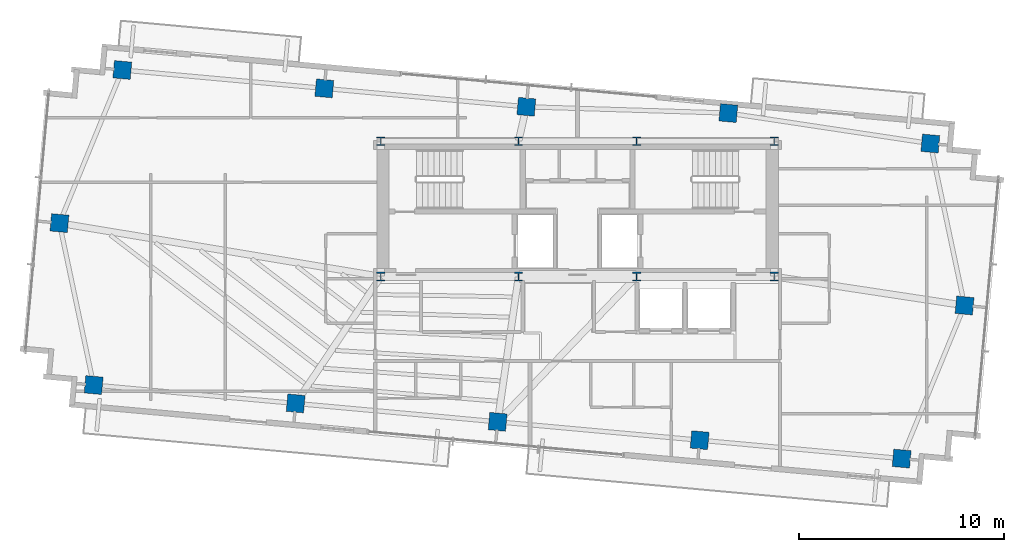
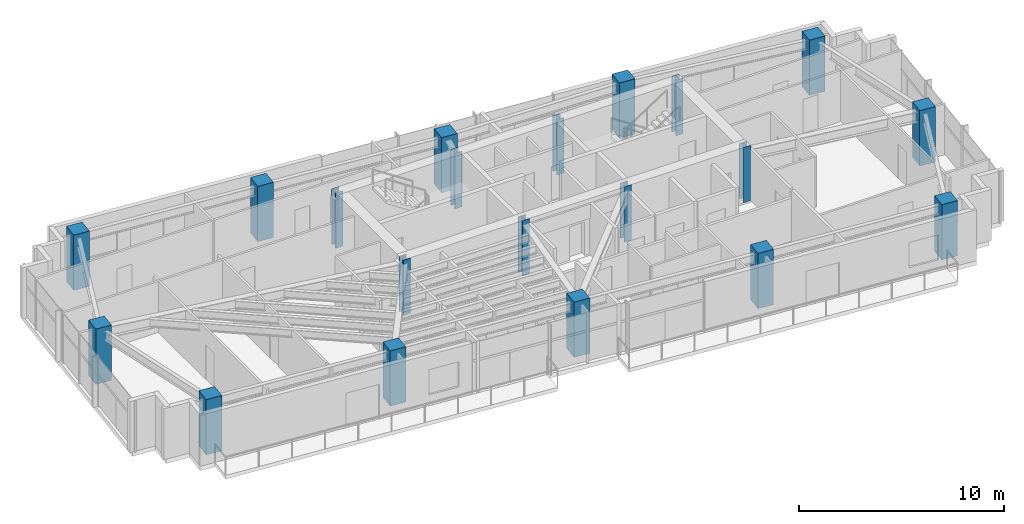
# One storey, part 1 of 22: 20 columns.
"""IFC4 building model written with IfcOpenShell, lengths in metres."""

import ifcopenshell
import ifcopenshell.guid

model = None  # the IFC model being written
_history = None  # IfcOwnerHistory: only IFC2X3 demands one
_inside = {}  # id of a spatial element -> (the spatial element, [elements in it])
_under = {}  # id of a project, library or spatial element -> (it, [spatial elements below it])
_declared = {}  # id of a project -> (the project, [libraries it declares])
_typed = {}  # id of a type object -> (the type object, [elements of that type])
_made_of = {}  # id of a material, layer set ... -> (it, [elements and type objects made of it])


def new_model(schema):
    """Start an empty IFC model of exactly this schema.

    Asked for "IFC4X3", IfcOpenShell would pick the latest addendum, in which some entities
    have other attributes; the version numbers below select the first issue.
    IFC2X3 requires an IfcOwnerHistory on every rooted entity: one is made here for all.
    """
    global model, _history
    if schema == "IFC4X3":
        model = ifcopenshell.file(schema_version=(4, 3, 0, 0))
    else:
        model = ifcopenshell.file(schema=schema)
    _inside.clear()
    _under.clear()
    _declared.clear()
    _typed.clear()
    _made_of.clear()
    _history = None
    if model.schema == "IFC2X3":
        org = make("IfcOrganization", Name="unknown")
        user = make(
            "IfcPersonAndOrganization",
            ThePerson=make("IfcPerson", FamilyName="unknown"),
            TheOrganization=org,
        )
        app = make(
            "IfcApplication",
            ApplicationDeveloper=org,
            Version="unknown",
            ApplicationFullName="unknown",
            ApplicationIdentifier="unknown",
        )
        _history = make(
            "IfcOwnerHistory",
            OwningUser=user,
            OwningApplication=app,
            ChangeAction="ADDED",
            CreationDate=0,
        )
    return model


def make(cls, **values):
    """One entity of the class cls with the attributes given. An attribute that is None is left unset."""
    return model.create_entity(
        cls, **{name: value for name, value in values.items() if value is not None}
    )


def rooted(cls, **values):
    """An entity with a GlobalId (a new one), such as an element, a storey or a relation."""
    return make(cls, GlobalId=ifcopenshell.guid.new(), OwnerHistory=_history, **values)


def si_unit(unit_type, name, prefix=None):
    """IfcSIUnit, for example si_unit("LENGTHUNIT", "METRE", prefix="MILLI")."""
    return make("IfcSIUnit", UnitType=unit_type, Prefix=prefix, Name=name)


def assignment(units):
    """IfcUnitAssignment: the units of a project."""
    return None if units is None else make("IfcUnitAssignment", Units=units)


def point(xyz):
    """IfcCartesianPoint."""
    return None if xyz is None else make("IfcCartesianPoint", Coordinates=xyz)


def direction(xyz):
    """IfcDirection."""
    return None if xyz is None else make("IfcDirection", DirectionRatios=xyz)


def frame(location, z_axis=None, x_axis=None):
    """IfcAxis2Placement3D, a coordinate frame: its origin and axes. An axis left out is left unset."""
    return make(
        "IfcAxis2Placement3D",
        Location=point(location),
        Axis=direction(z_axis),
        RefDirection=direction(x_axis),
    )


def frame_2d(location, x_axis=None):
    """IfcAxis2Placement2D, a coordinate frame in the plane: its origin and x axis."""
    return make(
        "IfcAxis2Placement2D", Location=point(location), RefDirection=direction(x_axis)
    )


def origin():
    """The frame at (0, 0, 0) with its axes left unset."""
    return frame((0.0, 0.0, 0.0))


def origin_2d():
    """The frame at (0, 0) in the plane with its x axis left unset."""
    return frame_2d((0.0, 0.0))


def place(relative_to, where):
    """IfcLocalPlacement: puts the frame where relative to a parent placement (None: the world)."""
    return make(
        "IfcLocalPlacement", PlacementRelTo=relative_to, RelativePlacement=where
    )


def context(
    kind, dimensions, precision=None, world=None, true_north=None, identifier=None
):
    """IfcGeometricRepresentationContext, for example the 3D "Model" context."""
    return make(
        "IfcGeometricRepresentationContext",
        ContextIdentifier=identifier,
        ContextType=kind,
        CoordinateSpaceDimension=dimensions,
        Precision=precision,
        WorldCoordinateSystem=world,
        TrueNorth=true_north,
    )


def subcontext(parent, identifier, kind, view, scale=None):
    """IfcGeometricRepresentationSubContext, for example "Body" below "Model"."""
    return make(
        "IfcGeometricRepresentationSubContext",
        ContextIdentifier=identifier,
        ContextType=kind,
        ParentContext=parent,
        TargetScale=scale,
        TargetView=view,
    )


def project(units=None, contexts=None):
    """IfcProject with its units and contexts."""
    return rooted(
        "IfcProject",
        Name="project",
        RepresentationContexts=contexts,
        UnitsInContext=assignment(units),
    )


def spatial(cls, under=None, at=None, **own):
    """A site, building, storey or space (cls), placed at a placement, below another one or the project."""
    s = rooted(cls, ObjectPlacement=at, **own)
    if under is not None:
        _under.setdefault(under.id(), (under, []))[1].append(s)
    return s


def profile(cls, at=None, kind="AREA", **sizes):
    """A parametric profile (cls). Its sizes go by their IFC names, for example OverallWidth=200.0."""
    return make(cls, ProfileType=kind, Position=at, **sizes)


def rectangle(**sizes):
    """IfcRectangleProfileDef."""
    return profile("IfcRectangleProfileDef", **sizes)


def i_section(**sizes):
    """IfcIShapeProfileDef."""
    return profile("IfcIShapeProfileDef", **sizes)


def extrude(swept, where, along, depth):
    """IfcExtrudedAreaSolid: the profile swept, set in the frame where, extruded along a direction by depth."""
    return make(
        "IfcExtrudedAreaSolid",
        SweptArea=swept,
        Position=where,
        ExtrudedDirection=direction(along),
        Depth=depth,
    )


def shape(context_of_items, identifier, shape_type, items):
    """IfcShapeRepresentation: the items that make up one representation, for example the "Body"."""
    return make(
        "IfcShapeRepresentation",
        ContextOfItems=context_of_items,
        RepresentationIdentifier=identifier,
        RepresentationType=shape_type,
        Items=items,
    )


def source(mapping_origin, context_of_items, identifier, shape_type, items):
    """IfcRepresentationMap: a shape defined once, which mapped items show again and again."""
    return make(
        "IfcRepresentationMap",
        MappingOrigin=mapping_origin,
        MappedRepresentation=shape(context_of_items, identifier, shape_type, items),
    )


def transform(
    local_origin,
    x_axis=None,
    y_axis=None,
    z_axis=None,
    scale=None,
    scale2=None,
    scale3=None,
    uniform=True,
):
    """IfcCartesianTransformationOperator3D, or its non-uniform kind. x_axis, y_axis, z_axis: its Axis1, 2, 3."""
    if uniform:
        return make(
            "IfcCartesianTransformationOperator3D",
            Axis1=direction(x_axis),
            Axis2=direction(y_axis),
            LocalOrigin=point(local_origin),
            Scale=scale,
            Axis3=direction(z_axis),
        )
    return make(
        "IfcCartesianTransformationOperator3DnonUniform",
        Axis1=direction(x_axis),
        Axis2=direction(y_axis),
        LocalOrigin=point(local_origin),
        Scale=scale,
        Axis3=direction(z_axis),
        Scale2=scale2,
        Scale3=scale3,
    )


def mapped(mapping_source, mapping_target):
    """IfcMappedItem: shows the shape of a source again, moved by a transform."""
    return make(
        "IfcMappedItem", MappingSource=mapping_source, MappingTarget=mapping_target
    )


def material(Name=None, Category=None):
    """IfcMaterial."""
    return make("IfcMaterial", Name=Name, Category=Category)


def material_profile(
    of_material, cross_section, Name=None, Category=None, Priority=None
):
    """IfcMaterialProfile: a cross section and its material."""
    return make(
        "IfcMaterialProfile",
        Name=Name,
        Material=of_material,
        Profile=cross_section,
        Priority=Priority,
        Category=Category,
    )


def profile_set(profiles, Name=None, composite=None):
    """IfcMaterialProfileSet."""
    return make(
        "IfcMaterialProfileSet",
        Name=Name,
        MaterialProfiles=profiles,
        CompositeProfile=composite,
    )


def made_of(thing, what):
    """Note that an element or type object is made of a material, layer set ...; save() writes the relation."""
    if what is not None:
        _made_of.setdefault(what.id(), (what, []))[1].append(thing)
    return thing


def type_object(cls, material=None, **own):
    """A type object (cls), such as IfcWallType, which elements share."""
    return made_of(rooted(cls, **own), material)


def type_shapes(of_type, sources):
    """Give a type object the sources (RepresentationMaps) that its elements show as mapped items."""
    of_type.RepresentationMaps = sources


def element(
    cls,
    number,
    at=None,
    inside=None,
    cuts=None,
    type_object=None,
    material=None,
    context=None,
    identifier="Body",
    shape_type=None,
    held_by="IfcProductDefinitionShape",
    body=None,
    shapes=None,
    **own,
):
    """One element of the class cls, such as IfcWall. Its Tag is "e" and its number.

    at: its placement. inside: the storey or other place that contains it. cuts: it is an
    opening in that element (IfcRelVoidsElement). A single representation is given by context,
    identifier, shape_type and body (its items); several are given by shapes. held_by: the class
    of the entity that holds the representations. save() writes the other relations.
    """
    e = rooted(cls, Tag="e%d" % number, ObjectPlacement=at, **own)
    if body is not None:
        shapes = [shape(context, identifier, shape_type, body)]
    if shapes is not None:
        e.Representation = make(held_by, Representations=shapes)
    if inside is not None:
        _inside.setdefault(inside.id(), (inside, []))[1].append(e)
    if cuts is not None:
        rooted(
            "IfcRelVoidsElement", RelatingBuildingElement=cuts, RelatedOpeningElement=e
        )
    if type_object is not None:
        _typed.setdefault(type_object.id(), (type_object, []))[1].append(e)
    return made_of(e, material)


def aggregate(whole, parts):
    """IfcRelAggregates: a whole, such as a stair, and the parts it consists of."""
    return rooted("IfcRelAggregates", RelatingObject=whole, RelatedObjects=parts)


def save(model, path):
    """Write the relations noted so far, then the file.

    IfcRelAggregates (storeys below a building ...), IfcRelContainedInSpatialStructure (elements
    in a storey), IfcRelDefinesByType, IfcRelAssociatesMaterial and IfcRelDeclares: one each for
    every whole, place, type object, material and project.
    """
    for whole, parts in _under.values():
        aggregate(whole, parts)
    for where, things in _inside.values():
        rooted(
            "IfcRelContainedInSpatialStructure",
            RelatedElements=things,
            RelatingStructure=where,
        )
    for kind, things in _typed.values():
        rooted("IfcRelDefinesByType", RelatedObjects=things, RelatingType=kind)
    for what, things in _made_of.values():
        rooted("IfcRelAssociatesMaterial", RelatedObjects=things, RelatingMaterial=what)
    for by, libraries in _declared.values():
        rooted("IfcRelDeclares", RelatingContext=by, RelatedDefinitions=libraries)
    model.write(path)


model = new_model("IFC4")

# Units and contexts
model_context = context("Model", 3, precision=1e-05, world=origin(), true_north=direction((0.0, 1.0)))
body_context = subcontext(model_context, "Body", "Model", "MODEL_VIEW")
ifc_project = project(units=[si_unit("LENGTHUNIT", "METRE"), si_unit("AREAUNIT", "SQUARE_METRE"), si_unit("VOLUMEUNIT", "CUBIC_METRE"), si_unit("PLANEANGLEUNIT", "RADIAN"), si_unit("MASSUNIT", "GRAM", prefix="KILO")], contexts=[model_context])

# Site, building, storey
site_placement = place(None, origin())
site = spatial("IfcSite", under=ifc_project, at=site_placement, CompositionType="ELEMENT")
building_placement = place(site_placement, origin())
building = spatial("IfcBuilding", under=site, at=building_placement, Name="Astriad Promenade Condominiums", CompositionType="ELEMENT")
storey_placement = place(building_placement, frame((0.0, 0.0, 219.89990234375)))
storey = spatial("IfcBuildingStorey", under=building, at=storey_placement, Name="L63", CompositionType="ELEMENT", Elevation=219.89990234375)

# Columns
ifc_material_1 = material(Name="Steel ASTM A992 Grade 50", Category="steel")
ifc_material_profile_1 = material_profile(ifc_material_1, i_section(OverallWidth=0.4091796875, OverallDepth=0.42529296875, WebThickness=0.03271484375, FlangeThickness=0.052490234375, FilletRadius=0.017822265625, at=origin_2d()), Name="W14X283")
ifc_profile_set_1 = profile_set([ifc_material_profile_1], Name="Steel ASTM A992 Grade 50")
column_type_1 = type_object("IfcColumnType", Name="STEEL CORE PILASTER W14X283", PredefinedType="PILASTER", material=ifc_profile_set_1)
shared_shape_1 = source(origin(), body_context, "Body", "SweptSolid", [
    extrude(i_section(OverallWidth=0.4091796875, OverallDepth=0.42529296875, WebThickness=0.03271484375, FlangeThickness=0.052490234375, FilletRadius=0.017822265625, at=origin_2d()), origin(), (0.0, 0.0, 1.0), 3.2958984375),
])
type_shapes(column_type_1, [shared_shape_1])
for number, where, z_axis, x_axis, name in (
    (1, (26.39990234375, 17.39990234375, 0.002197265625), (0.0, 0.0, 1.0), (1.0, 0.0, 0.0), "Core Pilaster Column CP1 (L63)"),
    (2, (33.1201171875, 17.39990234375, 0.002197265625), (0.0, 0.0, 1.0), (1.0, 0.0, 0.0), "Core Pilaster Column CP2 (L63)"),
    (3, (38.8798828125, 17.39990234375, 0.002197265625), (0.0, 0.0, 1.0), (1.0, 0.0, 0.0), "Core Pilaster Column CP3 (L63)"),
    (4, (45.60009765625, 17.39990234375, 0.002197265625), (0.0, 0.0, 1.0), (1.0, 0.0, 0.0), "Core Pilaster Column CP4 (L63)"),
    (5, (26.39990234375, 24.0, 0.002197265625), (0.0, 0.0, 1.0), (1.0, 0.0, 0.0), "Core Pilaster Column CP5 (L63)"),
    (6, (33.1201171875, 24.0, 0.002197265625), (0.0, 0.0, 1.0), (1.0, 0.0, 0.0), "Core Pilaster Column CP6 (L63)"),
    (7, (38.8798828125, 24.0, 0.002197265625), (0.0, 0.0, 1.0), (1.0, 0.0, 0.0), "Core Pilaster Column CP7 (L63)"),
    (8, (45.60009765625, 24.0, 0.002197265625), (0.0, 0.0, 1.0), (1.0, 0.0, 0.0), "Core Pilaster Column CP8 (L63)"),
):
    element("IfcColumn", number, at=place(storey_placement, frame(where, z_axis=z_axis, x_axis=x_axis)), inside=storey, type_object=column_type_1, Name=name, PredefinedType="PILASTER", context=body_context, shape_type="MappedRepresentation", body=[
        mapped(shared_shape_1, transform((0.0, 0.0, 0.0), scale=1.0)),
    ])
ifc_material_2 = material(Name="Concrete C50/60", Category="concrete")
ifc_material_profile_2 = material_profile(ifc_material_2, rectangle(XDim=0.85009765625, YDim=0.85009765625, at=origin_2d()), Name="RC-COL-850X850")
ifc_profile_set_2 = profile_set([ifc_material_profile_2], Name="Concrete C50/60")
column_type_2 = type_object("IfcColumnType", Name="CONCRETE TOWER COLUMN 850X850", PredefinedType="COLUMN", material=ifc_profile_set_2)
shared_shape_2 = source(origin(), body_context, "Body", "SweptSolid", [
    extrude(rectangle(XDim=0.85009765625, YDim=0.85009765625, at=origin_2d()), origin(), (0.0, 0.0, 1.0), 3.2958984375),
])
type_shapes(column_type_2, [shared_shape_2])
for number, where, z_axis, x_axis, name in (
    (9, (12.3818359375, 12.106201171875, 0.002197265625), (0.0, 0.0, 1.0), (0.995884398616, -0.090632580198, 0.0), "Perimeter Column PC01 (L63)"),
    (10, (22.2412109375, 11.208984375, 0.002197265625), (0.0, 0.0, 1.0), (0.995884398616, -0.090632580198, 0.0), "Perimeter Column PC02 (L63)"),
    (11, (32.100341796875, 10.311767578125, 0.002197265625), (0.0, 0.0, 1.0), (0.995884398616, -0.090632580198, 0.0), "Perimeter Column PC03 (L63)"),
    (12, (41.959716796875, 9.41455078125, 0.002197265625), (0.0, 0.0, 1.0), (0.995884398616, -0.090632580198, 0.0), "Perimeter Column PC04 (L63)"),
    (13, (51.81884765625, 8.51708984375, 0.002197265625), (0.0, 0.0, 1.0), (0.995884398616, -0.090632580198, 0.0), "Perimeter Column PC05 (L63)"),
    (14, (13.78125, 27.48291015625, 0.002197265625), (0.0, 0.0, 1.0), (0.995884398616, -0.090632580198, 0.0), "Perimeter Column PC06 (L63)"),
    (15, (23.640380859375, 26.58544921875, 0.002197265625), (0.0, 0.0, 1.0), (0.995884398616, -0.090632580198, 0.0), "Perimeter Column PC07 (L63)"),
    (16, (33.499755859375, 25.688232421875, 0.002197265625), (0.0, 0.0, 1.0), (0.995884398616, -0.090632580198, 0.0), "Perimeter Column PC08 (L63)"),
    (17, (43.35888671875, 25.3798828125, 0.002197265625), (0.0, 0.0, 1.0), (0.995884398616, -0.090632580198, 0.0), "Perimeter Column PC09 (L63)"),
    (18, (53.21826171875, 23.893798828125, 0.002197265625), (0.0, 0.0, 1.0), (0.995884398616, -0.090632580198, 0.0), "Perimeter Column PC10 (L63)"),
    (19, (10.711181640625, 20.01025390625, 0.002197265625), (0.0, 0.0, 1.0), (0.995884398616, -0.090632580198, 0.0), "Perimeter Column PC11 (L63)"),
    (20, (54.888671875, 15.98974609375, 0.002197265625), (0.0, 0.0, 1.0), (0.995884398616, -0.090632580198, 0.0), "Perimeter Column PC12 (L63)"),
):
    element("IfcColumn", number, at=place(storey_placement, frame(where, z_axis=z_axis, x_axis=x_axis)), inside=storey, type_object=column_type_2, Name=name, PredefinedType="COLUMN", context=body_context, shape_type="MappedRepresentation", body=[
        mapped(shared_shape_2, transform((0.0, 0.0, 0.0), scale=1.0)),
    ])

save(model, "model.ifc")
